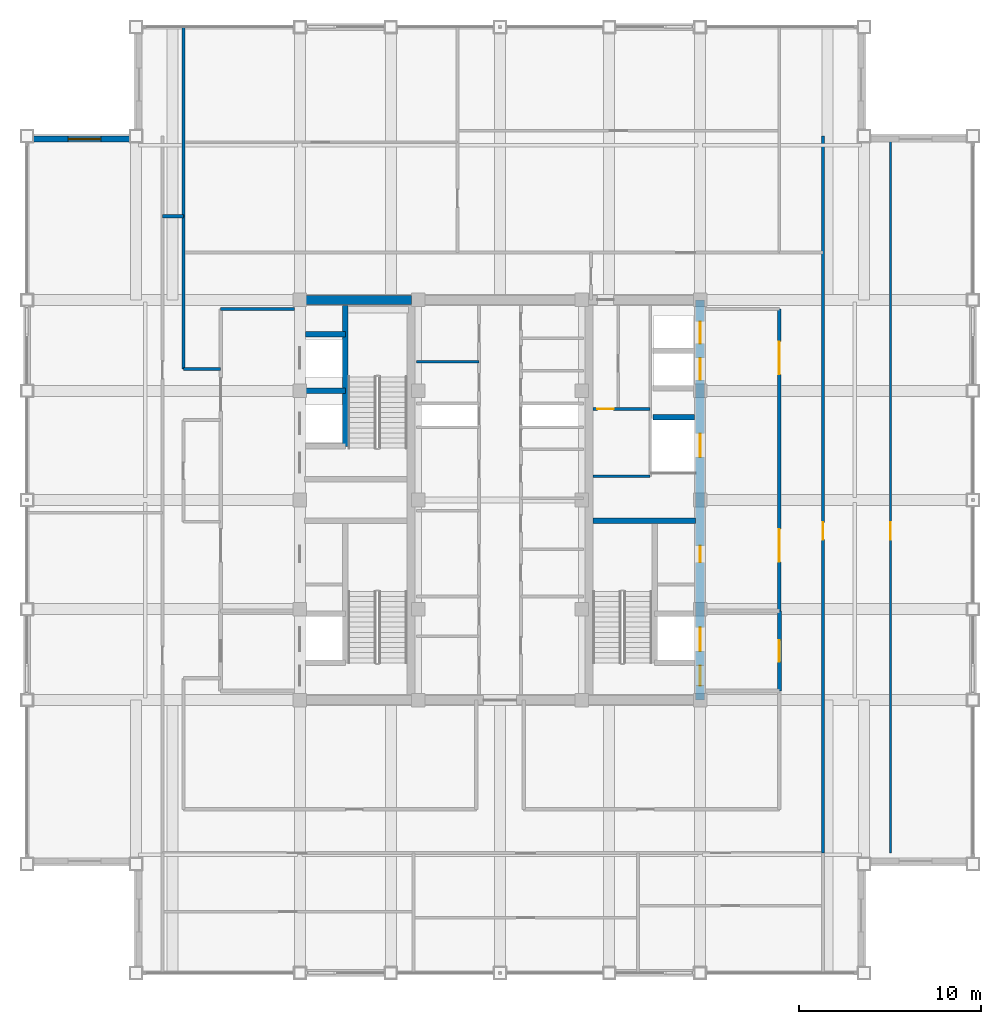
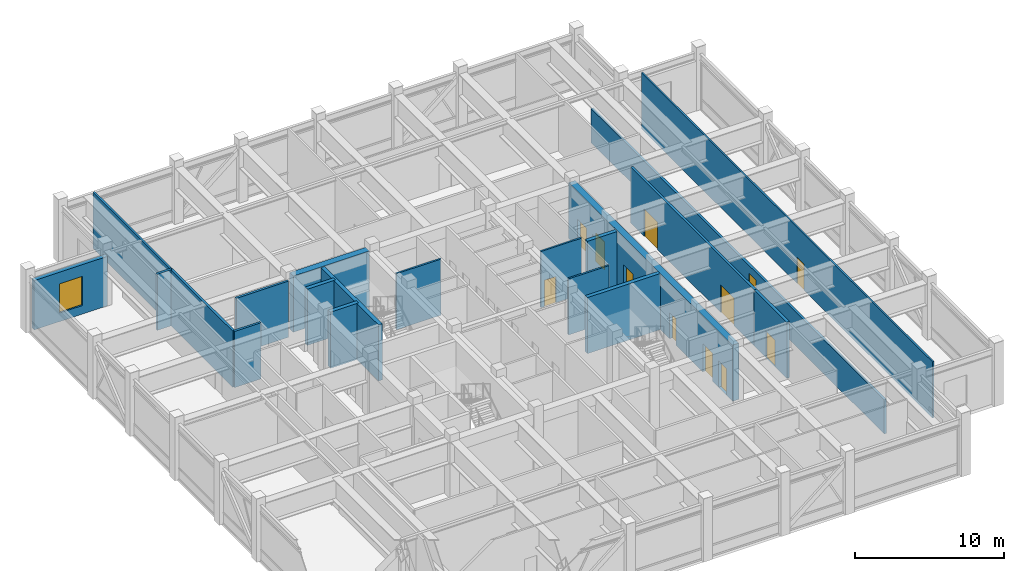
# One storey, part 26 of 29: 20 walls, 12 doors, 1 window, 13 openings.
"""IFC4 building model written with IfcOpenShell, lengths in metres."""

import ifcopenshell
import ifcopenshell.guid

model = None  # the IFC model being written
_history = None  # IfcOwnerHistory: only IFC2X3 demands one
_inside = {}  # id of a spatial element -> (the spatial element, [elements in it])
_under = {}  # id of a project, library or spatial element -> (it, [spatial elements below it])
_declared = {}  # id of a project -> (the project, [libraries it declares])
_typed = {}  # id of a type object -> (the type object, [elements of that type])
_made_of = {}  # id of a material, layer set ... -> (it, [elements and type objects made of it])


def new_model(schema):
    """Start an empty IFC model of exactly this schema.

    Asked for "IFC4X3", IfcOpenShell would pick the latest addendum, in which some entities
    have other attributes; the version numbers below select the first issue.
    IFC2X3 requires an IfcOwnerHistory on every rooted entity: one is made here for all.
    """
    global model, _history
    if schema == "IFC4X3":
        model = ifcopenshell.file(schema_version=(4, 3, 0, 0))
    else:
        model = ifcopenshell.file(schema=schema)
    _inside.clear()
    _under.clear()
    _declared.clear()
    _typed.clear()
    _made_of.clear()
    _history = None
    if model.schema == "IFC2X3":
        org = make("IfcOrganization", Name="unknown")
        user = make(
            "IfcPersonAndOrganization",
            ThePerson=make("IfcPerson", FamilyName="unknown"),
            TheOrganization=org,
        )
        app = make(
            "IfcApplication",
            ApplicationDeveloper=org,
            Version="unknown",
            ApplicationFullName="unknown",
            ApplicationIdentifier="unknown",
        )
        _history = make(
            "IfcOwnerHistory",
            OwningUser=user,
            OwningApplication=app,
            ChangeAction="ADDED",
            CreationDate=0,
        )
    return model


def make(cls, **values):
    """One entity of the class cls with the attributes given. An attribute that is None is left unset."""
    return model.create_entity(
        cls, **{name: value for name, value in values.items() if value is not None}
    )


def rooted(cls, **values):
    """An entity with a GlobalId (a new one), such as an element, a storey or a relation."""
    return make(cls, GlobalId=ifcopenshell.guid.new(), OwnerHistory=_history, **values)


def si_unit(unit_type, name, prefix=None):
    """IfcSIUnit, for example si_unit("LENGTHUNIT", "METRE", prefix="MILLI")."""
    return make("IfcSIUnit", UnitType=unit_type, Prefix=prefix, Name=name)


def assignment(units):
    """IfcUnitAssignment: the units of a project."""
    return None if units is None else make("IfcUnitAssignment", Units=units)


def point(xyz):
    """IfcCartesianPoint."""
    return None if xyz is None else make("IfcCartesianPoint", Coordinates=xyz)


def direction(xyz):
    """IfcDirection."""
    return None if xyz is None else make("IfcDirection", DirectionRatios=xyz)


def frame(location, z_axis=None, x_axis=None):
    """IfcAxis2Placement3D, a coordinate frame: its origin and axes. An axis left out is left unset."""
    return make(
        "IfcAxis2Placement3D",
        Location=point(location),
        Axis=direction(z_axis),
        RefDirection=direction(x_axis),
    )


def frame_2d(location, x_axis=None):
    """IfcAxis2Placement2D, a coordinate frame in the plane: its origin and x axis."""
    return make(
        "IfcAxis2Placement2D", Location=point(location), RefDirection=direction(x_axis)
    )


def origin():
    """The frame at (0, 0, 0) with its axes left unset."""
    return frame((0.0, 0.0, 0.0))


def place(relative_to, where):
    """IfcLocalPlacement: puts the frame where relative to a parent placement (None: the world)."""
    return make(
        "IfcLocalPlacement", PlacementRelTo=relative_to, RelativePlacement=where
    )


def context(
    kind, dimensions, precision=None, world=None, true_north=None, identifier=None
):
    """IfcGeometricRepresentationContext, for example the 3D "Model" context."""
    return make(
        "IfcGeometricRepresentationContext",
        ContextIdentifier=identifier,
        ContextType=kind,
        CoordinateSpaceDimension=dimensions,
        Precision=precision,
        WorldCoordinateSystem=world,
        TrueNorth=true_north,
    )


def subcontext(parent, identifier, kind, view, scale=None):
    """IfcGeometricRepresentationSubContext, for example "Body" below "Model"."""
    return make(
        "IfcGeometricRepresentationSubContext",
        ContextIdentifier=identifier,
        ContextType=kind,
        ParentContext=parent,
        TargetScale=scale,
        TargetView=view,
    )


def project(units=None, contexts=None):
    """IfcProject with its units and contexts."""
    return rooted(
        "IfcProject",
        Name="project",
        RepresentationContexts=contexts,
        UnitsInContext=assignment(units),
    )


def spatial(cls, under=None, at=None, **own):
    """A site, building, storey or space (cls), placed at a placement, below another one or the project."""
    s = rooted(cls, ObjectPlacement=at, **own)
    if under is not None:
        _under.setdefault(under.id(), (under, []))[1].append(s)
    return s


def profile(cls, at=None, kind="AREA", **sizes):
    """A parametric profile (cls). Its sizes go by their IFC names, for example OverallWidth=200.0."""
    return make(cls, ProfileType=kind, Position=at, **sizes)


def rectangle(**sizes):
    """IfcRectangleProfileDef."""
    return profile("IfcRectangleProfileDef", **sizes)


def extrude(swept, where, along, depth):
    """IfcExtrudedAreaSolid: the profile swept, set in the frame where, extruded along a direction by depth."""
    return make(
        "IfcExtrudedAreaSolid",
        SweptArea=swept,
        Position=where,
        ExtrudedDirection=direction(along),
        Depth=depth,
    )


def shape(context_of_items, identifier, shape_type, items):
    """IfcShapeRepresentation: the items that make up one representation, for example the "Body"."""
    return make(
        "IfcShapeRepresentation",
        ContextOfItems=context_of_items,
        RepresentationIdentifier=identifier,
        RepresentationType=shape_type,
        Items=items,
    )


def source(mapping_origin, context_of_items, identifier, shape_type, items):
    """IfcRepresentationMap: a shape defined once, which mapped items show again and again."""
    return make(
        "IfcRepresentationMap",
        MappingOrigin=mapping_origin,
        MappedRepresentation=shape(context_of_items, identifier, shape_type, items),
    )


def transform(
    local_origin,
    x_axis=None,
    y_axis=None,
    z_axis=None,
    scale=None,
    scale2=None,
    scale3=None,
    uniform=True,
):
    """IfcCartesianTransformationOperator3D, or its non-uniform kind. x_axis, y_axis, z_axis: its Axis1, 2, 3."""
    if uniform:
        return make(
            "IfcCartesianTransformationOperator3D",
            Axis1=direction(x_axis),
            Axis2=direction(y_axis),
            LocalOrigin=point(local_origin),
            Scale=scale,
            Axis3=direction(z_axis),
        )
    return make(
        "IfcCartesianTransformationOperator3DnonUniform",
        Axis1=direction(x_axis),
        Axis2=direction(y_axis),
        LocalOrigin=point(local_origin),
        Scale=scale,
        Axis3=direction(z_axis),
        Scale2=scale2,
        Scale3=scale3,
    )


def mapped(mapping_source, mapping_target):
    """IfcMappedItem: shows the shape of a source again, moved by a transform."""
    return make(
        "IfcMappedItem", MappingSource=mapping_source, MappingTarget=mapping_target
    )


def material(Name=None, Category=None):
    """IfcMaterial."""
    return make("IfcMaterial", Name=Name, Category=Category)


def layer(
    of_material, thickness, ventilated=None, Name=None, Category=None, Priority=None
):
    """IfcMaterialLayer: one layer of a wall or slab, of a material (None: an air gap)."""
    return make(
        "IfcMaterialLayer",
        Material=of_material,
        LayerThickness=thickness,
        IsVentilated=ventilated,
        Name=Name,
        Category=Category,
        Priority=Priority,
    )


def layer_set(layers, Name=None):
    """IfcMaterialLayerSet."""
    return make("IfcMaterialLayerSet", MaterialLayers=layers, LayerSetName=Name)


def made_of(thing, what):
    """Note that an element or type object is made of a material, layer set ...; save() writes the relation."""
    if what is not None:
        _made_of.setdefault(what.id(), (what, []))[1].append(thing)
    return thing


def type_object(cls, material=None, **own):
    """A type object (cls), such as IfcWallType, which elements share."""
    return made_of(rooted(cls, **own), material)


def element(
    cls,
    number,
    at=None,
    inside=None,
    cuts=None,
    type_object=None,
    material=None,
    context=None,
    identifier="Body",
    shape_type=None,
    held_by="IfcProductDefinitionShape",
    body=None,
    shapes=None,
    **own,
):
    """One element of the class cls, such as IfcWall. Its Tag is "e" and its number.

    at: its placement. inside: the storey or other place that contains it. cuts: it is an
    opening in that element (IfcRelVoidsElement). A single representation is given by context,
    identifier, shape_type and body (its items); several are given by shapes. held_by: the class
    of the entity that holds the representations. save() writes the other relations.
    """
    e = rooted(cls, Tag="e%d" % number, ObjectPlacement=at, **own)
    if body is not None:
        shapes = [shape(context, identifier, shape_type, body)]
    if shapes is not None:
        e.Representation = make(held_by, Representations=shapes)
    if inside is not None:
        _inside.setdefault(inside.id(), (inside, []))[1].append(e)
    if cuts is not None:
        rooted(
            "IfcRelVoidsElement", RelatingBuildingElement=cuts, RelatedOpeningElement=e
        )
    if type_object is not None:
        _typed.setdefault(type_object.id(), (type_object, []))[1].append(e)
    return made_of(e, material)


def fill(opening, filler):
    """IfcRelFillsElement: the door or window that sits in an opening."""
    return rooted(
        "IfcRelFillsElement",
        RelatingOpeningElement=opening,
        RelatedBuildingElement=filler,
    )


def aggregate(whole, parts):
    """IfcRelAggregates: a whole, such as a stair, and the parts it consists of."""
    return rooted("IfcRelAggregates", RelatingObject=whole, RelatedObjects=parts)


def save(model, path):
    """Write the relations noted so far, then the file.

    IfcRelAggregates (storeys below a building ...), IfcRelContainedInSpatialStructure (elements
    in a storey), IfcRelDefinesByType, IfcRelAssociatesMaterial and IfcRelDeclares: one each for
    every whole, place, type object, material and project.
    """
    for whole, parts in _under.values():
        aggregate(whole, parts)
    for where, things in _inside.values():
        rooted(
            "IfcRelContainedInSpatialStructure",
            RelatedElements=things,
            RelatingStructure=where,
        )
    for kind, things in _typed.values():
        rooted("IfcRelDefinesByType", RelatedObjects=things, RelatingType=kind)
    for what, things in _made_of.values():
        rooted("IfcRelAssociatesMaterial", RelatedObjects=things, RelatingMaterial=what)
    for by, libraries in _declared.values():
        rooted("IfcRelDeclares", RelatingContext=by, RelatedDefinitions=libraries)
    model.write(path)


model = new_model("IFC4")

# Units and contexts
model_context = context("Model", 3, precision=1e-05, world=origin(), true_north=direction((0.0, 1.0)))
body_context = subcontext(model_context, "Body", "Model", "MODEL_VIEW")
ifc_project = project(units=[si_unit("LENGTHUNIT", "METRE"), si_unit("AREAUNIT", "SQUARE_METRE"), si_unit("VOLUMEUNIT", "CUBIC_METRE"), si_unit("PLANEANGLEUNIT", "RADIAN"), si_unit("MASSUNIT", "GRAM", prefix="KILO")], contexts=[model_context])

# Site, building, storey
site_placement = place(None, origin())
site = spatial("IfcSite", under=ifc_project, at=site_placement, CompositionType="ELEMENT")
building_placement = place(site_placement, origin())
building = spatial("IfcBuilding", under=site, at=building_placement, Name="Khorayat Bourse Tower", CompositionType="ELEMENT")
storey_placement = place(building_placement, frame((0.0, 0.0, 370.300048828125)))
storey = spatial("IfcBuildingStorey", under=building, at=storey_placement, Name="L88", CompositionType="ELEMENT", Elevation=370.300048828125)

# Wall, openings, doors
ifc_material_1 = material(Name="Concrete C52/65", Category="concrete")
ifc_layer_1 = layer(ifc_material_1, 0.5)
ifc_layer_set_1 = layer_set([ifc_layer_1], Name="Concrete C52/65")
wall_type_1 = type_object("IfcWallType", Name="WAL-CORE-500", PredefinedType="SHEAR", material=ifc_layer_set_1)
shared_shape_1 = source(origin(), body_context, "Body", "SweptSolid", [
    extrude(rectangle(XDim=22.0, YDim=0.5, at=frame_2d((11.0, 0.0))), origin(), (0.0, 0.0, 1.0), 4.599853515625),
])
wall_1_placement = place(storey_placement, frame((11.0, -11.0, 0.0), z_axis=(0.0, 0.0, 1.0), x_axis=(0.0, 1.0, 0.0)))
wall_1 = element("IfcWall", 1, at=wall_1_placement, inside=storey, type_object=wall_type_1, Name="L88 Core Shear Wall CORE-E", PredefinedType="SHEAR", context=body_context, shape_type="MappedRepresentation", body=[
    mapped(shared_shape_1, transform((0.0, 0.0, 0.0), scale=1.0)),
])
shared_shape_2 = source(origin(), body_context, "Body", "SweptSolid", [
    extrude(rectangle(XDim=1.10009765625, YDim=2.199951171875, at=frame_2d((0.550048828125, 1.10009765625))), frame((0.0, 0.260009765625, 0.0), z_axis=(0.0, -1.0, 0.0), x_axis=(1.0, 0.0, 0.0)), (0.0, 0.0, 1.0), 0.52001953125),
])
opening_1_placement = place(wall_1_placement, frame((0.800048828125, 0.0, 0.0)))
opening_1 = element("IfcOpeningElement", 2, at=opening_1_placement, cuts=wall_1, Name="Opening DI-01", PredefinedType="OPENING", context=body_context, shape_type="MappedRepresentation", body=[
    mapped(shared_shape_2, transform((0.0, 0.0, 0.0), scale=1.0)),
])
shared_shape_3 = source(origin(), body_context, "Body", "SweptSolid", [
    extrude(rectangle(XDim=0.89990234375, YDim=2.14990234375, at=frame_2d((0.449951171875, 1.074951171875))), frame((0.0, 0.260009765625, 0.0), z_axis=(0.0, -1.0, 0.0), x_axis=(1.0, 0.0, 0.0)), (0.0, 0.0, 1.0), 0.52001953125),
])
opening_2_placement = place(wall_1_placement, frame((7.574951171875, 0.0, 0.0)))
opening_2 = element("IfcOpeningElement", 3, at=opening_2_placement, cuts=wall_1, Name="Opening DI-06", PredefinedType="OPENING", context=body_context, shape_type="MappedRepresentation", body=[
    mapped(shared_shape_3, transform((0.0, 0.0, 0.0), scale=1.0)),
])
shared_shape_4 = source(origin(), body_context, "Body", "SweptSolid", [
    extrude(rectangle(XDim=1.199951171875, YDim=2.300048828125, at=frame_2d((0.60009765625, 1.14990234375))), frame((0.0, 0.260009765625, 0.0), z_axis=(0.0, -1.0, 0.0), x_axis=(1.0, 0.0, 0.0)), (0.0, 0.0, 1.0), 0.52001953125),
])
opening_3_placement = place(wall_1_placement, frame((17.60009765625, 0.0, 0.0)))
opening_3 = element("IfcOpeningElement", 4, at=opening_3_placement, cuts=wall_1, Name="Opening LD-01", PredefinedType="OPENING", context=body_context, shape_type="MappedRepresentation", body=[
    mapped(shared_shape_4, transform((0.0, 0.0, 0.0), scale=1.0)),
])
opening_4_placement = place(wall_1_placement, frame((19.60009765625, 0.0, 0.0)))
opening_4 = element("IfcOpeningElement", 5, at=opening_4_placement, cuts=wall_1, Name="Opening LD-01", PredefinedType="OPENING", context=body_context, shape_type="MappedRepresentation", body=[
    mapped(shared_shape_4, transform((0.0, 0.0, 0.0), scale=1.0)),
])
shared_shape_5 = source(origin(), body_context, "Body", "SweptSolid", [
    extrude(rectangle(XDim=1.300048828125, YDim=2.300048828125, at=frame_2d((0.64990234375, 1.14990234375))), frame((0.0, 0.260009765625, 0.0), z_axis=(0.0, -1.0, 0.0), x_axis=(1.0, 0.0, 0.0)), (0.0, 0.0, 1.0), 0.52001953125),
])
opening_5_placement = place(wall_1_placement, frame((2.699951171875, 0.0, 0.0)))
opening_5 = element("IfcOpeningElement", 6, at=opening_5_placement, cuts=wall_1, Name="Opening LD-02", PredefinedType="OPENING", context=body_context, shape_type="MappedRepresentation", body=[
    mapped(shared_shape_5, transform((0.0, 0.0, 0.0), scale=1.0)),
])
opening_6_placement = place(wall_1_placement, frame((13.35009765625, 0.0, 0.0)))
opening_6 = element("IfcOpeningElement", 7, at=opening_6_placement, cuts=wall_1, Name="Opening LD-02", PredefinedType="OPENING", context=body_context, shape_type="MappedRepresentation", body=[
    mapped(shared_shape_5, transform((0.0, 0.0, 0.0), scale=1.0)),
])
ifc_material_2 = material(Name="Fire-rated steel acoustic leaf", Category="steel")
door_type_1 = type_object("IfcDoorType", Name="DR-INT-STAIR-1100", OperationType="NOTDEFINED", PredefinedType="DOOR", material=ifc_material_2)
shared_shape_6 = source(origin(), body_context, "Body", "SweptSolid", [
    extrude(rectangle(XDim=1.10009765625, YDim=2.199951171875, at=frame_2d((0.550048828125, 1.10009765625))), frame((0.0, 0.02490234375, 0.0), z_axis=(0.0, -1.0, 0.0), x_axis=(1.0, 0.0, 0.0)), (0.0, 0.0, 1.0), 0.050048828125),
])
door_1_placement = place(opening_1_placement, origin())
door_1 = element("IfcDoor", 8, at=door_1_placement, inside=storey, type_object=door_type_1, Name="L88 Exit Stair 3 Door", OperationType="SINGLE_SWING_LEFT", OverallHeight=2.199951171875, OverallWidth=1.10009765625, PredefinedType="DOOR", context=body_context, shape_type="MappedRepresentation", body=[
    mapped(shared_shape_6, transform((0.0, 0.0, 0.0), scale=1.0)),
])
fill(opening_1, door_1)
ifc_material_3 = material(Name="Moisture-resistant laminate washroom door")
door_type_2 = type_object("IfcDoorType", Name="DR-INT-WC-900", OperationType="NOTDEFINED", PredefinedType="DOOR", material=ifc_material_3)
shared_shape_7 = source(origin(), body_context, "Body", "SweptSolid", [
    extrude(rectangle(XDim=0.89990234375, YDim=2.14990234375, at=frame_2d((0.449951171875, 1.074951171875))), frame((0.0, 0.02490234375, 0.0), z_axis=(0.0, -1.0, 0.0), x_axis=(1.0, 0.0, 0.0)), (0.0, 0.0, 1.0), 0.050048828125),
])
door_2_placement = place(opening_2_placement, origin())
door_2 = element("IfcDoor", 9, at=door_2_placement, inside=storey, type_object=door_type_2, Name="L88 Fiber Server Plant Room Door", OperationType="SINGLE_SWING_LEFT", OverallHeight=2.14990234375, OverallWidth=0.89990234375, PredefinedType="DOOR", context=body_context, shape_type="MappedRepresentation", body=[
    mapped(shared_shape_7, transform((0.0, 0.0, 0.0), scale=1.0)),
])
fill(opening_2, door_2)
ifc_material_4 = material(Name="Brushed bronze stainless-steel sliding door", Category="steel")
door_type_3 = type_object("IfcDoorType", Name="DR-LIFT-PASS-1200", OperationType="NOTDEFINED", PredefinedType="DOOR", material=ifc_material_4)
shared_shape_8 = source(origin(), body_context, "Body", "SweptSolid", [
    extrude(rectangle(XDim=1.199951171875, YDim=2.300048828125, at=frame_2d((0.60009765625, 1.14990234375))), frame((0.0, 0.02490234375, 0.0), z_axis=(0.0, -1.0, 0.0), x_axis=(1.0, 0.0, 0.0)), (0.0, 0.0, 1.0), 0.050048828125),
])
door_3_placement = place(opening_3_placement, origin())
door_3 = element("IfcDoor", 10, at=door_3_placement, inside=storey, type_object=door_type_3, Name="L88 Lift PL-H3 Sliding Landing Door", OperationType="SLIDING_TO_LEFT", OverallHeight=2.300048828125, OverallWidth=1.199951171875, PredefinedType="DOOR", context=body_context, shape_type="MappedRepresentation", body=[
    mapped(shared_shape_8, transform((0.0, 0.0, 0.0), scale=1.0)),
])
fill(opening_3, door_3)
door_4_placement = place(opening_4_placement, origin())
door_4 = element("IfcDoor", 11, at=door_4_placement, inside=storey, type_object=door_type_3, Name="L88 Lift PL-H4 Sliding Landing Door", OperationType="SLIDING_TO_LEFT", OverallHeight=2.300048828125, OverallWidth=1.199951171875, PredefinedType="DOOR", context=body_context, shape_type="MappedRepresentation", body=[
    mapped(shared_shape_8, transform((0.0, 0.0, 0.0), scale=1.0)),
])
fill(opening_4, door_4)
ifc_material_5 = material(Name="Fire-rated stainless-steel sliding landing door", Category="steel")
door_type_4 = type_object("IfcDoorType", Name="DR-LIFT-FF-1300", OperationType="NOTDEFINED", PredefinedType="DOOR", material=ifc_material_5)
shared_shape_9 = source(origin(), body_context, "Body", "SweptSolid", [
    extrude(rectangle(XDim=1.300048828125, YDim=2.300048828125, at=frame_2d((0.64990234375, 1.14990234375))), frame((0.0, 0.02490234375, 0.0), z_axis=(0.0, -1.0, 0.0), x_axis=(1.0, 0.0, 0.0)), (0.0, 0.0, 1.0), 0.050048828125),
])
door_5_placement = place(opening_5_placement, origin())
door_5 = element("IfcDoor", 12, at=door_5_placement, inside=storey, type_object=door_type_4, Name="L88 Lift FFL-02 Sliding Landing Door", OperationType="SLIDING_TO_LEFT", OverallHeight=2.300048828125, OverallWidth=1.300048828125, PredefinedType="DOOR", context=body_context, shape_type="MappedRepresentation", body=[
    mapped(shared_shape_9, transform((0.0, 0.0, 0.0), scale=1.0)),
])
fill(opening_5, door_5)
door_6_placement = place(opening_6_placement, origin())
door_6 = element("IfcDoor", 13, at=door_6_placement, inside=storey, type_object=door_type_4, Name="L88 Lift SVL-01 Sliding Landing Door", OperationType="SLIDING_TO_LEFT", OverallHeight=2.300048828125, OverallWidth=1.300048828125, PredefinedType="DOOR", context=body_context, shape_type="MappedRepresentation", body=[
    mapped(shared_shape_9, transform((0.0, 0.0, 0.0), scale=1.0)),
])
fill(opening_6, door_6)

# Walls
ifc_material_6 = material(Name="Concrete C50/60", Category="concrete")
ifc_layer_2 = layer(ifc_material_6, 0.300048828125)
ifc_layer_set_2 = layer_set([ifc_layer_2], Name="Concrete C50/60")
wall_type_2 = type_object("IfcWallType", Name="WAL-SHAFT-300", PredefinedType="SHEAR", material=ifc_layer_set_2)
shared_shape_10 = source(origin(), body_context, "Body", "SweptSolid", [
    extrude(rectangle(XDim=5.64990234375, YDim=0.300048828125, at=frame_2d((2.824951171875, 0.0))), origin(), (0.0, 0.0, 1.0), 4.599853515625),
])
wall_2_placement = place(storey_placement, frame((5.10009765625, -1.14990234375, 0.0), z_axis=(0.0, 0.0, 1.0), x_axis=(1.0, 0.0, 0.0)))
element("IfcWall", 14, at=wall_2_placement, inside=storey, type_object=wall_type_2, Name="L88 Core Shear Wall ST3-DIV", PredefinedType="SHEAR", context=body_context, shape_type="MappedRepresentation", body=[
    mapped(shared_shape_10, transform((0.0, 0.0, 0.0), scale=1.0)),
])
shared_shape_11 = source(origin(), body_context, "Body", "SweptSolid", [
    extrude(rectangle(XDim=5.89990234375, YDim=0.5, at=frame_2d((2.949951171875, 0.0))), origin(), (0.0, 0.0, 1.0), 4.599853515625),
])
wall_3_placement = place(storey_placement, frame((-10.75, 11.0, 0.0), z_axis=(0.0, 0.0, 1.0), x_axis=(1.0, 0.0, 0.0)))
element("IfcWall", 15, at=wall_3_placement, inside=storey, type_object=wall_type_1, Name="L88 Core Shear Wall PIER-WN", PredefinedType="SHEAR", context=body_context, shape_type="MappedRepresentation", body=[
    mapped(shared_shape_11, transform((0.0, 0.0, 0.0), scale=1.0)),
])

# Wall, opening, window
ifc_material_7 = material(Name="Precast concrete C45/55", Category="concrete")
ifc_layer_3 = layer(ifc_material_7, 0.320068359375)
ifc_layer_set_3 = layer_set([ifc_layer_3], Name="Precast concrete C45/55")
wall_type_3 = type_object("IfcWallType", Name="WAL-EXT-STONE-320", PredefinedType="STANDARD", material=ifc_layer_set_3)
shared_shape_12 = source(origin(), body_context, "Body", "SweptSolid", [
    extrude(rectangle(XDim=5.679931640625, YDim=0.320068359375, at=frame_2d((2.83984375, 0.0))), origin(), (0.0, 0.0, 1.0), 4.051025390625),
])
wall_4_placement = place(storey_placement, frame((-20.0, 19.840087890625, 0.0), z_axis=(0.0, 0.0, 1.0), x_axis=(-1.0, 0.0, 0.0)))
wall_4 = element("IfcWall", 16, at=wall_4_placement, inside=storey, type_object=wall_type_3, Name="L88 Re-Entrant Notch Limestone Wall NW-H", PredefinedType="STANDARD", context=body_context, shape_type="MappedRepresentation", body=[
    mapped(shared_shape_12, transform((0.0, 0.0, 0.0), scale=1.0)),
])
shared_shape_13 = source(origin(), body_context, "Body", "SweptSolid", [
    extrude(rectangle(XDim=1.800048828125, YDim=2.39990234375, at=frame_2d((0.89990234375, 1.199951171875))), frame((0.0, 0.169921875, 0.0), z_axis=(0.0, -1.0, 0.0), x_axis=(1.0, 0.0, 0.0)), (0.0, 0.0, 1.0), 0.340087890625),
])
opening_7_placement = place(wall_4_placement, frame((1.93994140625, 0.0, 0.699951171875)))
opening_7 = element("IfcOpeningElement", 17, at=opening_7_placement, cuts=wall_4, Name="Opening WN-04", PredefinedType="OPENING", context=body_context, shape_type="MappedRepresentation", body=[
    mapped(shared_shape_13, transform((0.0, 0.0, 0.0), scale=1.0)),
])
ifc_material_8 = material(Name="Low-E acoustic laminated double glazing", Category="glass")
window_type = type_object("IfcWindowType", Name="WIN-NOTCH-1800x2400", PartitioningType="SINGLE_PANEL", PredefinedType="WINDOW", material=ifc_material_8)
shared_shape_14 = source(origin(), body_context, "Body", "SweptSolid", [
    extrude(rectangle(XDim=1.800048828125, YDim=2.39990234375, at=frame_2d((0.89990234375, 1.199951171875))), frame((0.0, 0.030029296875, 0.0), z_axis=(0.0, -1.0, 0.0), x_axis=(1.0, 0.0, 0.0)), (0.0, 0.0, 1.0), 0.06005859375),
])
window_placement = place(opening_7_placement, origin())
window = element("IfcWindow", 18, at=window_placement, inside=storey, type_object=window_type, Name="L88 Facade Window 1", OverallHeight=2.39990234375, OverallWidth=1.800048828125, PartitioningType="SINGLE_PANEL", PredefinedType="WINDOW", context=body_context, shape_type="MappedRepresentation", body=[
    mapped(shared_shape_14, transform((0.0, 0.0, 0.0), scale=1.0)),
])
fill(opening_7, window)

# Walls
shared_shape_15 = source(origin(), body_context, "Body", "SweptSolid", [
    extrude(rectangle(XDim=2.199951171875, YDim=0.300048828125, at=frame_2d((1.10009765625, 0.0))), origin(), (0.0, 0.0, 1.0), 4.599853515625),
])
for number, where, z_axis, x_axis, name in (
    (19, (-10.699951171875, 6.0, 0.0), (0.0, 0.0, 1.0), (1.0, 0.0, 0.0), "L88 Partition WAL-L88-WPIER-H12"),
    (20, (-10.699951171875, 9.10009765625, 0.0), (0.0, 0.0, 1.0), (1.0, 0.0, 0.0), "L88 Partition WAL-L88-WPIER-H2N"),
):
    element("IfcWall", number, at=place(storey_placement, frame(where, z_axis=z_axis, x_axis=x_axis)), inside=storey, type_object=wall_type_2, Name=name, PredefinedType="SHEAR", context=body_context, shape_type="MappedRepresentation", body=[
        mapped(shared_shape_15, transform((0.0, 0.0, 0.0), scale=1.0)),
    ])
shared_shape_16 = source(origin(), body_context, "Body", "SweptSolid", [
    extrude(rectangle(XDim=7.75, YDim=0.300048828125, at=frame_2d((3.875, 0.0))), origin(), (0.0, 0.0, 1.0), 4.599853515625),
])
wall_5_placement = place(storey_placement, frame((-8.5, 2.949951171875, 0.0), z_axis=(0.0, 0.0, 1.0), x_axis=(0.0, 1.0, 0.0)))
element("IfcWall", 21, at=wall_5_placement, inside=storey, type_object=wall_type_2, Name="L88 Partition WAL-L88-WPIER-ST2S", PredefinedType="SHEAR", context=body_context, shape_type="MappedRepresentation", body=[
    mapped(shared_shape_16, transform((0.0, 0.0, 0.0), scale=1.0)),
])
shared_shape_17 = source(origin(), body_context, "Body", "SweptSolid", [
    extrude(rectangle(XDim=2.300048828125, YDim=0.300048828125, at=frame_2d((1.14990234375, 0.0))), origin(), (0.0, 0.0, 1.0), 4.599853515625),
])
wall_6_placement = place(storey_placement, frame((8.39990234375, 4.550048828125, 0.0), z_axis=(0.0, 0.0, 1.0), x_axis=(1.0, 0.0, 0.0)))
element("IfcWall", 22, at=wall_6_placement, inside=storey, type_object=wall_type_2, Name="L88 Partition WAL-L88-EPIER-SVLN", PredefinedType="SHEAR", context=body_context, shape_type="MappedRepresentation", body=[
    mapped(shared_shape_17, transform((0.0, 0.0, 0.0), scale=1.0)),
])
ifc_material_9 = material(Name="Moisture-resistant masonry partition", Category="masonry")
ifc_layer_4 = layer(ifc_material_9, 0.139892578125)
ifc_layer_set_4 = layer_set([ifc_layer_4], Name="Moisture-resistant masonry partition")
wall_type_4 = type_object("IfcWallType", Name="WAL-PART-WET-140", PredefinedType="PARTITIONING", material=ifc_layer_set_4)
shared_shape_18 = source(origin(), body_context, "Body", "SweptSolid", [
    extrude(rectangle(XDim=3.14990234375, YDim=0.139892578125, at=frame_2d((1.574951171875, 0.0))), origin(), (0.0, 0.0, 1.0), 4.599853515625),
])
wall_7_placement = place(storey_placement, frame((5.10009765625, 1.300048828125, 0.0), z_axis=(0.0, 0.0, 1.0), x_axis=(1.0, 0.0, 0.0)))
element("IfcWall", 23, at=wall_7_placement, inside=storey, type_object=wall_type_4, Name="L88 Partition WAL-L88-ECORE-S", PredefinedType="PARTITIONING", context=body_context, shape_type="MappedRepresentation", body=[
    mapped(shared_shape_18, transform((0.0, 0.0, 0.0), scale=1.0)),
])

# Wall, opening, door
wall_8_placement = place(storey_placement, frame((5.10009765625, 5.0, 0.0), z_axis=(0.0, 0.0, 1.0), x_axis=(1.0, 0.0, 0.0)))
wall_8 = element("IfcWall", 24, at=wall_8_placement, inside=storey, type_object=wall_type_4, Name="L88 Partition WAL-L88-ECW-BOT", PredefinedType="PARTITIONING", context=body_context, shape_type="MappedRepresentation", body=[
    mapped(shared_shape_18, transform((0.0, 0.0, 0.0), scale=1.0)),
])
shared_shape_19 = source(origin(), body_context, "Body", "SweptSolid", [
    extrude(rectangle(XDim=0.89990234375, YDim=2.14990234375, at=frame_2d((0.449951171875, 1.074951171875))), frame((0.0, 0.079833984375, 0.0), z_axis=(0.0, -1.0, 0.0), x_axis=(1.0, 0.0, 0.0)), (0.0, 0.0, 1.0), 0.159912109375),
])
opening_8_placement = place(wall_8_placement, frame((0.25, 0.0, 0.0)))
opening_8 = element("IfcOpeningElement", 25, at=opening_8_placement, cuts=wall_8, Name="Opening DI-06", PredefinedType="OPENING", context=body_context, shape_type="MappedRepresentation", body=[
    mapped(shared_shape_19, transform((0.0, 0.0, 0.0), scale=1.0)),
])
door_7_placement = place(opening_8_placement, origin())
door_7 = element("IfcDoor", 26, at=door_7_placement, inside=storey, type_object=door_type_2, Name="L88 Shared Washroom Door", OperationType="SINGLE_SWING_LEFT", OverallHeight=2.14990234375, OverallWidth=0.89990234375, PredefinedType="DOOR", context=body_context, shape_type="MappedRepresentation", body=[
    mapped(shared_shape_7, transform((0.0, 0.0, 0.0), scale=1.0)),
])
fill(opening_8, door_7)

ifc_material_10 = material(Name="Aerated concrete blockwork", Category="masonry")
ifc_layer_5 = layer(ifc_material_10, 0.219970703125)
ifc_layer_set_5 = layer_set([ifc_layer_5], Name="Aerated concrete blockwork")
wall_type_5 = type_object("IfcWallType", Name="WAL-PART-FF-220", PredefinedType="PARTITIONING", material=ifc_layer_set_5)
shared_shape_20 = source(origin(), body_context, "Body", "SweptSolid", [
    extrude(rectangle(XDim=4.39990234375, YDim=0.219970703125, at=frame_2d((2.199951171875, 0.0))), origin(), (0.0, 0.0, 1.0), 4.599853515625),
])
wall_9_placement = place(storey_placement, frame((15.35009765625, -10.5, 0.0), z_axis=(0.0, 0.0, 1.0), x_axis=(0.0, 1.0, 0.0)))
wall_9 = element("IfcWall", 27, at=wall_9_placement, inside=storey, type_object=wall_type_5, Name="L88 Partition WAL-L88-FFLE-E", PredefinedType="PARTITIONING", context=body_context, shape_type="MappedRepresentation", body=[
    mapped(shared_shape_20, transform((0.0, 0.0, 0.0), scale=1.0)),
])
shared_shape_21 = source(origin(), body_context, "Body", "SweptSolid", [
    extrude(rectangle(XDim=1.199951171875, YDim=2.199951171875, at=frame_2d((0.60009765625, 1.10009765625))), frame((0.0, 0.119873046875, 0.0), z_axis=(0.0, -1.0, 0.0), x_axis=(1.0, 0.0, 0.0)), (0.0, 0.0, 1.0), 0.239990234375),
])
opening_9_placement = place(wall_9_placement, frame((1.60009765625, 0.0, 0.0)))
opening_9 = element("IfcOpeningElement", 28, at=opening_9_placement, cuts=wall_9, Name="Opening DI-02", PredefinedType="OPENING", context=body_context, shape_type="MappedRepresentation", body=[
    mapped(shared_shape_21, transform((0.0, 0.0, 0.0), scale=1.0)),
])
ifc_material_11 = material(Name="Fire-rated steel double-seal leaf", Category="steel")
door_type_5 = type_object("IfcDoorType", Name="DR-INT-FFLOBBY-1200", OperationType="NOTDEFINED", PredefinedType="DOOR", material=ifc_material_11)
shared_shape_22 = source(origin(), body_context, "Body", "SweptSolid", [
    extrude(rectangle(XDim=1.199951171875, YDim=2.199951171875, at=frame_2d((0.60009765625, 1.10009765625))), frame((0.0, 0.02490234375, 0.0), z_axis=(0.0, -1.0, 0.0), x_axis=(1.0, 0.0, 0.0)), (0.0, 0.0, 1.0), 0.050048828125),
])
door_8_placement = place(opening_9_placement, origin())
door_8 = element("IfcDoor", 29, at=door_8_placement, inside=storey, type_object=door_type_5, Name="L88 East Firefighting Lobby Door", OperationType="SINGLE_SWING_RIGHT", OverallHeight=2.199951171875, OverallWidth=1.199951171875, PredefinedType="DOOR", context=body_context, shape_type="MappedRepresentation", body=[
    mapped(shared_shape_22, transform((0.0, 0.0, 0.0), scale=1.0)),
])
fill(opening_9, door_8)

# Wall
ifc_material_12 = material(Name="Gypsum plasterboard acoustic stud wall")
ifc_layer_6 = layer(ifc_material_12, 0.179931640625)
ifc_layer_set_6 = layer_set([ifc_layer_6], Name="Gypsum plasterboard acoustic stud wall")
wall_type_6 = type_object("IfcWallType", Name="WAL-PART-CORR-180", PredefinedType="PARTITIONING", material=ifc_layer_set_6)
shared_shape_23 = source(origin(), body_context, "Body", "SweptSolid", [
    extrude(rectangle(XDim=4.050048828125, YDim=0.179931640625, at=frame_2d((2.02490234375, 0.0))), origin(), (0.0, 0.0, 1.0), 4.599853515625),
])
wall_10_placement = place(storey_placement, frame((-15.35009765625, 10.5, 0.0), z_axis=(0.0, 0.0, 1.0), x_axis=(1.0, 0.0, 0.0)))
element("IfcWall", 30, at=wall_10_placement, inside=storey, type_object=wall_type_6, Name="L88 Partition WAL-L88-WLOB-N", PredefinedType="PARTITIONING", context=body_context, shape_type="MappedRepresentation", body=[
    mapped(shared_shape_23, transform((0.0, 0.0, 0.0), scale=1.0)),
])

# Wall, openings, doors
shared_shape_24 = source(origin(), body_context, "Body", "SweptSolid", [
    extrude(rectangle(XDim=16.60009765625, YDim=0.179931640625, at=frame_2d((8.300048828125, 0.0))), origin(), (0.0, 0.0, 1.0), 4.599853515625),
])
wall_11_placement = place(storey_placement, frame((15.35009765625, -6.10009765625, 0.0), z_axis=(0.0, 0.0, 1.0), x_axis=(0.0, 1.0, 0.0)))
wall_11 = element("IfcWall", 31, at=wall_11_placement, inside=storey, type_object=wall_type_6, Name="L88 Partition WAL-L88-ELOB-E", PredefinedType="PARTITIONING", context=body_context, shape_type="MappedRepresentation", body=[
    mapped(shared_shape_24, transform((0.0, 0.0, 0.0), scale=1.0)),
])
shared_shape_25 = source(origin(), body_context, "Body", "SweptSolid", [
    extrude(rectangle(XDim=1.800048828125, YDim=2.25, at=frame_2d((0.89990234375, 1.125))), frame((0.0, 0.099853515625, 0.0), z_axis=(0.0, -1.0, 0.0), x_axis=(1.0, 0.0, 0.0)), (0.0, 0.0, 1.0), 0.199951171875),
])
opening_10_placement = place(wall_11_placement, frame((2.699951171875, 0.0, 0.0)))
opening_10 = element("IfcOpeningElement", 32, at=opening_10_placement, cuts=wall_11, Name="Opening DI-03", PredefinedType="OPENING", context=body_context, shape_type="MappedRepresentation", body=[
    mapped(shared_shape_25, transform((0.0, 0.0, 0.0), scale=1.0)),
])
opening_11_placement = place(wall_11_placement, frame((13.0, 0.0, 0.0)))
opening_11 = element("IfcOpeningElement", 33, at=opening_11_placement, cuts=wall_11, Name="Opening DI-03", PredefinedType="OPENING", context=body_context, shape_type="MappedRepresentation", body=[
    mapped(shared_shape_25, transform((0.0, 0.0, 0.0), scale=1.0)),
])
ifc_material_13 = material(Name="Fire-rated hardwood vision-panel double leaf", Category="wood")
door_type_6 = type_object("IfcDoorType", Name="DR-INT-CORR-1800", OperationType="NOTDEFINED", PredefinedType="DOOR", material=ifc_material_13)
shared_shape_26 = source(origin(), body_context, "Body", "SweptSolid", [
    extrude(rectangle(XDim=1.800048828125, YDim=2.25, at=frame_2d((0.89990234375, 1.125))), frame((0.0, 0.02490234375, 0.0), z_axis=(0.0, -1.0, 0.0), x_axis=(1.0, 0.0, 0.0)), (0.0, 0.0, 1.0), 0.050048828125),
])
door_9_placement = place(opening_10_placement, origin())
door_9 = element("IfcDoor", 34, at=door_9_placement, inside=storey, type_object=door_type_6, Name="L88 East Core Lobby South Door", OperationType="SINGLE_SWING_RIGHT", OverallHeight=2.25, OverallWidth=1.800048828125, PredefinedType="DOOR", context=body_context, shape_type="MappedRepresentation", body=[
    mapped(shared_shape_26, transform((0.0, 0.0, 0.0), scale=1.0)),
])
fill(opening_10, door_9)
door_10_placement = place(opening_11_placement, origin())
door_10 = element("IfcDoor", 35, at=door_10_placement, inside=storey, type_object=door_type_6, Name="L88 East Core Lobby North Door", OperationType="SINGLE_SWING_LEFT", OverallHeight=2.25, OverallWidth=1.800048828125, PredefinedType="DOOR", context=body_context, shape_type="MappedRepresentation", body=[
    mapped(shared_shape_26, transform((0.0, 0.0, 0.0), scale=1.0)),
])
fill(opening_11, door_10)

# Walls
shared_shape_27 = source(origin(), body_context, "Body", "SweptSolid", [
    extrude(rectangle(XDim=3.4501953125, YDim=0.139892578125, at=frame_2d((1.72509765625, 0.0))), origin(), (0.0, 0.0, 1.0), 4.599853515625),
])
wall_12_placement = place(storey_placement, frame((-4.60009765625, 7.60009765625, 0.0), z_axis=(0.0, 0.0, 1.0), x_axis=(1.0, 0.0, 0.0)))
element("IfcWall", 36, at=wall_12_placement, inside=storey, type_object=wall_type_4, Name="L88 Partition WAL-L88-FB2W-D1", PredefinedType="PARTITIONING", context=body_context, shape_type="MappedRepresentation", body=[
    mapped(shared_shape_27, transform((0.0, 0.0, 0.0), scale=1.0)),
])
shared_shape_28 = source(origin(), body_context, "Body", "SweptSolid", [
    extrude(rectangle(XDim=2.0498046875, YDim=0.179931640625, at=frame_2d((1.02490234375, 0.0))), origin(), (0.0, 0.0, 1.0), 4.599853515625),
])
wall_13_placement = place(storey_placement, frame((-17.39990234375, 7.199951171875, 0.0), z_axis=(0.0, 0.0, 1.0), x_axis=(1.0, 0.0, 0.0)))
element("IfcWall", 37, at=wall_13_placement, inside=storey, type_object=wall_type_6, Name="L88 Partition WAL-L88-THRWN-T", PredefinedType="PARTITIONING", context=body_context, shape_type="MappedRepresentation", body=[
    mapped(shared_shape_28, transform((0.0, 0.0, 0.0), scale=1.0)),
])
shared_shape_29 = source(origin(), body_context, "Body", "SweptSolid", [
    extrude(rectangle(XDim=8.400146484375, YDim=0.179931640625, at=frame_2d((4.2001953125, 0.0))), origin(), (0.0, 0.0, 1.0), 4.599853515625),
])
wall_14_placement = place(storey_placement, frame((-17.39990234375, 7.199951171875, 0.0), z_axis=(0.0, 0.0, 1.0), x_axis=(0.0, 1.0, 0.0)))
element("IfcWall", 38, at=wall_14_placement, inside=storey, type_object=wall_type_6, Name="L88 Partition WAL-L88-THRWN-N", PredefinedType="PARTITIONING", context=body_context, shape_type="MappedRepresentation", body=[
    mapped(shared_shape_29, transform((0.0, 0.0, 0.0), scale=1.0)),
])
shared_shape_30 = source(origin(), body_context, "Body", "SweptSolid", [
    extrude(rectangle(XDim=1.150146484375, YDim=0.179931640625, at=frame_2d((0.5751953125, 0.0))), origin(), (0.0, 0.0, 1.0), 4.599853515625),
])
wall_15_placement = place(storey_placement, frame((-18.550048828125, 15.60009765625, 0.0), z_axis=(0.0, 0.0, 1.0), x_axis=(1.0, 0.0, 0.0)))
element("IfcWall", 39, at=wall_15_placement, inside=storey, type_object=wall_type_6, Name="L88 Partition WAL-L88-GALW-N", PredefinedType="PARTITIONING", context=body_context, shape_type="MappedRepresentation", body=[
    mapped(shared_shape_30, transform((0.0, 0.0, 0.0), scale=1.0)),
])
ifc_material_14 = material(Name="Gypsum plasterboard twin-frame partition")
ifc_layer_7 = layer(ifc_material_14, 0.14990234375)
ifc_layer_set_7 = layer_set([ifc_layer_7], Name="Gypsum plasterboard twin-frame partition")
wall_type_7 = type_object("IfcWallType", Name="WAL-PART-SUITE-150", PredefinedType="PARTITIONING", material=ifc_layer_set_7)
shared_shape_31 = source(origin(), body_context, "Body", "SweptSolid", [
    extrude(rectangle(XDim=10.39990234375, YDim=0.14990234375, at=frame_2d((5.199951171875, 0.0))), origin(), (0.0, 0.0, 1.0), 4.599853515625),
])
wall_16_placement = place(storey_placement, frame((-17.39990234375, 15.60009765625, 0.0), z_axis=(0.0, 0.0, 1.0), x_axis=(0.0, 1.0, 0.0)))
element("IfcWall", 40, at=wall_16_placement, inside=storey, type_object=wall_type_7, Name="L88 Partition WAL-L88-NCW-END", PredefinedType="PARTITIONING", context=body_context, shape_type="MappedRepresentation", body=[
    mapped(shared_shape_31, transform((0.0, 0.0, 0.0), scale=1.0)),
])

# Wall, opening, door
ifc_material_15 = material(Name="Gypsum plasterboard partition")
ifc_layer_8 = layer(ifc_material_15, 0.125)
ifc_layer_set_8 = layer_set([ifc_layer_8], Name="Gypsum plasterboard partition")
wall_type_8 = type_object("IfcWallType", Name="WAL-PART-ROOM-125", PredefinedType="PARTITIONING", material=ifc_layer_set_8)
shared_shape_32 = source(origin(), body_context, "Body", "SweptSolid", [
    extrude(rectangle(XDim=39.099853515625, YDim=0.125, at=frame_2d((19.5498046875, 0.0))), origin(), (0.0, 0.0, 1.0), 4.599853515625),
])
wall_17_placement = place(storey_placement, frame((21.46240234375, -19.39990234375, 0.0), z_axis=(0.0, 0.0, 1.0), x_axis=(0.0, 1.0, 0.0)))
wall_17 = element("IfcWall", 41, at=wall_17_placement, inside=storey, type_object=wall_type_8, Name="L88 Partition WAL-L88-EDP-1", PredefinedType="PARTITIONING", context=body_context, shape_type="MappedRepresentation", body=[
    mapped(shared_shape_32, transform((0.0, 0.0, 0.0), scale=1.0)),
])
shared_shape_33 = source(origin(), body_context, "Body", "SweptSolid", [
    extrude(rectangle(XDim=0.949951171875, YDim=2.14990234375, at=frame_2d((0.47509765625, 1.074951171875))), frame((0.0, 0.072509765625, 0.0), z_axis=(0.0, -1.0, 0.0), x_axis=(1.0, 0.0, 0.0)), (0.0, 0.0, 1.0), 0.14501953125),
])
opening_12_placement = place(wall_17_placement, frame((17.22509765625, 0.0, 0.0)))
opening_12 = element("IfcOpeningElement", 42, at=opening_12_placement, cuts=wall_17, Name="Opening DI-05", PredefinedType="OPENING", context=body_context, shape_type="MappedRepresentation", body=[
    mapped(shared_shape_33, transform((0.0, 0.0, 0.0), scale=1.0)),
])
ifc_material_16 = material(Name="Acoustic oak veneer office door")
door_type_7 = type_object("IfcDoorType", Name="DR-INT-OFFICE-950", OperationType="NOTDEFINED", PredefinedType="DOOR", material=ifc_material_16)
shared_shape_34 = source(origin(), body_context, "Body", "SweptSolid", [
    extrude(rectangle(XDim=0.949951171875, YDim=2.14990234375, at=frame_2d((0.47509765625, 1.074951171875))), frame((0.0, 0.02490234375, 0.0), z_axis=(0.0, -1.0, 0.0), x_axis=(1.0, 0.0, 0.0)), (0.0, 0.0, 1.0), 0.050048828125),
])
door_11_placement = place(opening_12_placement, origin())
door_11 = element("IfcDoor", 43, at=door_11_placement, inside=storey, type_object=door_type_7, Name="L88 Floor Reception Concierge E1B Door", OperationType="SINGLE_SWING_RIGHT", OverallHeight=2.14990234375, OverallWidth=0.949951171875, PredefinedType="DOOR", context=body_context, shape_type="MappedRepresentation", body=[
    mapped(shared_shape_34, transform((0.0, 0.0, 0.0), scale=1.0)),
])
fill(opening_12, door_11)

shared_shape_35 = source(origin(), body_context, "Body", "SweptSolid", [
    extrude(rectangle(XDim=39.39990234375, YDim=0.179931640625, at=frame_2d((19.699951171875, 0.0))), origin(), (0.0, 0.0, 1.0), 2.800048828125),
])
wall_18_placement = place(storey_placement, frame((17.75, -19.39990234375, 0.0), z_axis=(0.0, 0.0, 1.0), x_axis=(0.0, 1.0, 0.0)))
wall_18 = element("IfcWall", 44, at=wall_18_placement, inside=storey, type_object=wall_type_6, Name="L88 Partition WAL-L88-ECORR", PredefinedType="PARTITIONING", context=body_context, shape_type="MappedRepresentation", body=[
    mapped(shared_shape_35, transform((0.0, 0.0, 0.0), scale=1.0)),
])
shared_shape_36 = source(origin(), body_context, "Body", "SweptSolid", [
    extrude(rectangle(XDim=0.949951171875, YDim=2.14990234375, at=frame_2d((0.47509765625, 1.074951171875))), frame((0.0, 0.099853515625, 0.0), z_axis=(0.0, -1.0, 0.0), x_axis=(1.0, 0.0, 0.0)), (0.0, 0.0, 1.0), 0.199951171875),
])
opening_13_placement = place(wall_18_placement, frame((17.22509765625, 0.0, 0.0)))
opening_13 = element("IfcOpeningElement", 45, at=opening_13_placement, cuts=wall_18, Name="Opening DI-05", PredefinedType="OPENING", context=body_context, shape_type="MappedRepresentation", body=[
    mapped(shared_shape_36, transform((0.0, 0.0, 0.0), scale=1.0)),
])
door_12_placement = place(opening_13_placement, origin())
door_12 = element("IfcDoor", 46, at=door_12_placement, inside=storey, type_object=door_type_7, Name="L88 Market Committee Conference Room E1 Door", OperationType="SINGLE_SWING_RIGHT", OverallHeight=2.14990234375, OverallWidth=0.949951171875, PredefinedType="DOOR", context=body_context, shape_type="MappedRepresentation", body=[
    mapped(shared_shape_34, transform((0.0, 0.0, 0.0), scale=1.0)),
])
fill(opening_13, door_12)

save(model, "model.ifc")
